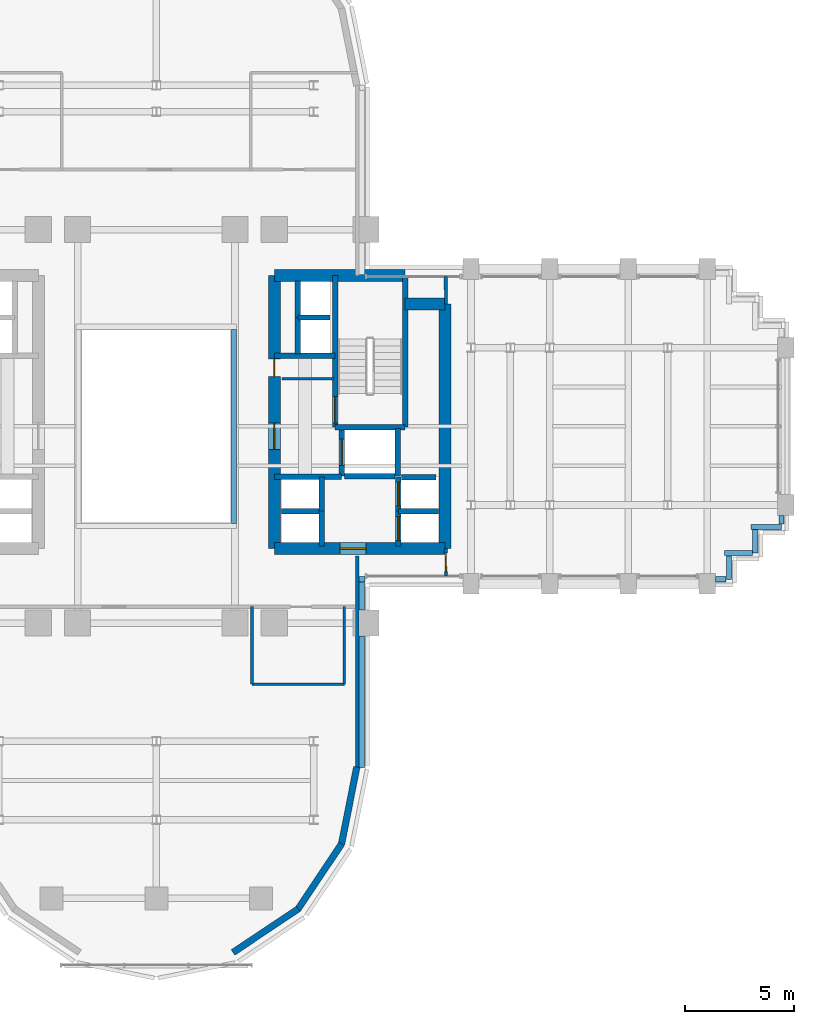
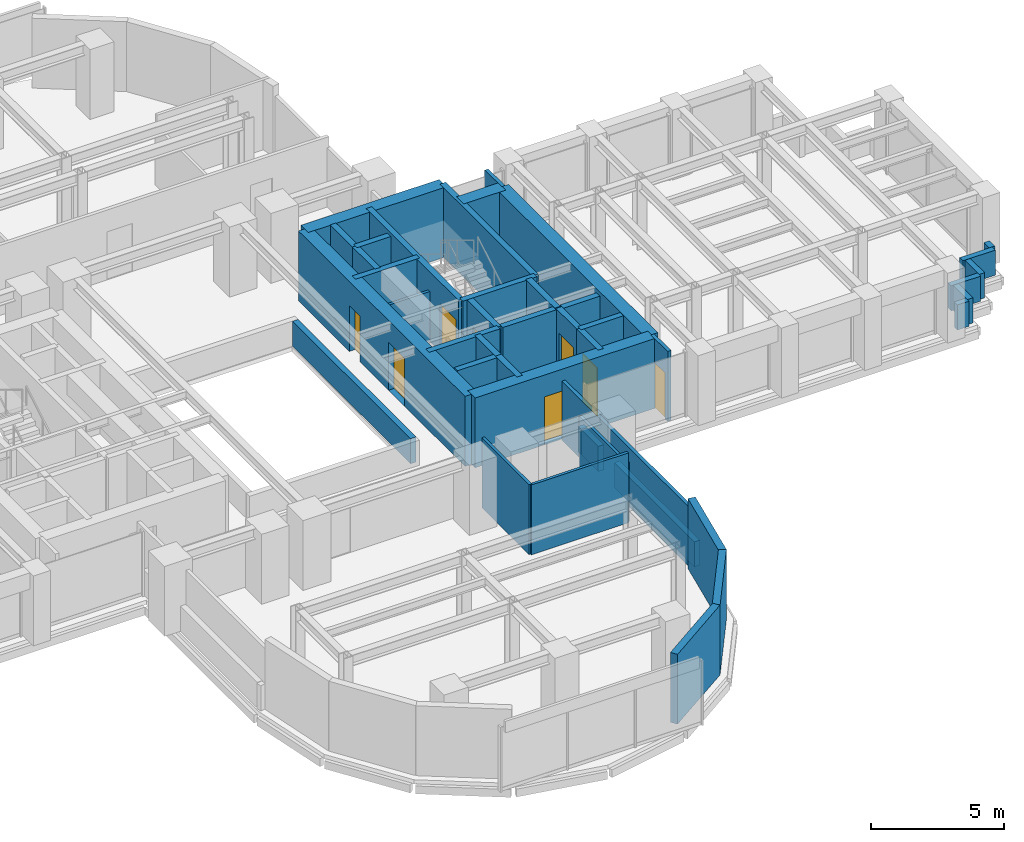
# One storey, part 11 of 16: 43 walls, 8 doors, 8 openings.
"""IFC4 building model written with IfcOpenShell, lengths in metres."""

from ifc_helpers import new_model, si_unit, direction, frame, frame_2d, origin, place, context, subcontext, project, spatial, rectangle, extrude, source, transform, mapped, material, layer, layer_set, type_object, element, fill, save


model = new_model("IFC4")

# Units and contexts
model_context = context("Model", 3, precision=1e-05, world=origin(), true_north=direction((0.0, 1.0)))
body_context = subcontext(model_context, "Body", "Model", "MODEL_VIEW")
ifc_project = project(units=[si_unit("LENGTHUNIT", "METRE"), si_unit("AREAUNIT", "SQUARE_METRE"), si_unit("VOLUMEUNIT", "CUBIC_METRE"), si_unit("PLANEANGLEUNIT", "RADIAN"), si_unit("MASSUNIT", "GRAM", prefix="KILO")], contexts=[model_context])

# Site, building, storey
site_placement = place(None, origin())
site = spatial("IfcSite", under=ifc_project, at=site_placement, CompositionType="ELEMENT")
building_placement = place(site_placement, origin())
building = spatial("IfcBuilding", under=site, at=building_placement, Name="Keilestroom Media Tower", CompositionType="ELEMENT")
storey_placement = place(building_placement, frame((0.0, 0.0, 61.199951171875)))
storey = spatial("IfcBuildingStorey", under=building, at=storey_placement, Name="L15", CompositionType="ELEMENT", Elevation=61.199951171875)

# Walls
ifc_material_1 = material(Name="Precast concrete C40/50", Category="concrete")
ifc_layer_1 = layer(ifc_material_1, 0.300048828125)
ifc_layer_set_1 = layer_set([ifc_layer_1], Name="Precast concrete C40/50")
wall_type_1 = type_object("IfcWallType", Name="Exterior-Masonry-Spandrel-Wall-300", PredefinedType="SOLIDWALL", material=ifc_layer_set_1)
wall_1_placement = place(storey_placement, frame((3.510009765625, -24.073486328125, 0.0), z_axis=(0.0, 0.0, 1.0), x_axis=(0.8314749531, 0.555562239868, 0.0)))
element("IfcWall", 1, at=wall_1_placement, inside=storey, type_object=wall_type_1, Name="L15 Lobe Facet Precast Frame Wall 10", PredefinedType="SOLIDWALL", context=body_context, shape_type="SweptSolid", body=[
    extrude(rectangle(XDim=3.59326171875, YDim=0.300048828125, at=frame_2d((1.796630859375, 0.0))), origin(), (0.0, 0.0, 1.0), 3.199951171875),
])
for number, where, z_axis, x_axis, name in (
    (2, (6.47705078125, -22.097900390625, 0.0), (0.0, 0.0, 1.0), (0.555574187116, 0.831466970246, 0.0), "L15 Lobe Facet Precast Frame Wall 11"),
    (3, (8.470703125, -19.12451171875, 0.0), (0.0, 0.0, 1.0), (0.195114232679, 0.980780523974, 0.0), "L15 Lobe Facet Precast Frame Wall 12"),
):
    element("IfcWall", number, at=place(storey_placement, frame(where, z_axis=z_axis, x_axis=x_axis)), inside=storey, type_object=wall_type_1, Name=name, PredefinedType="SOLIDWALL", context=body_context, shape_type="SweptSolid", body=[
        extrude(rectangle(XDim=3.608642578125, YDim=0.300048828125, at=frame_2d((1.80419921875, 0.0))), origin(), (0.0, 0.0, 1.0), 3.199951171875),
    ])
ifc_material_2 = material(Name="Gypsum Plasterboard & Steel Stud", Category="steel")
ifc_layer_2 = layer(ifc_material_2, 0.1201171875)
ifc_layer_set_2 = layer_set([ifc_layer_2], Name="Gypsum Plasterboard & Steel Stud")
wall_type_2 = type_object("IfcWallType", Name="Interior-Partition-Wall-120", PredefinedType="PARTITIONING", material=ifc_layer_set_2)
wall_2_placement = place(storey_placement, frame((5.75, 2.179931640625, 0.0), z_axis=(0.0, 0.0, 1.0), x_axis=(1.0, 0.0, 0.0)))
element("IfcWall", 4, at=wall_2_placement, inside=storey, type_object=wall_type_2, Name="L15 Interior Wall WP-L15-CIE-S", PredefinedType="PARTITIONING", context=body_context, shape_type="SweptSolid", body=[
    extrude(rectangle(XDim=2.389892578125, YDim=0.1201171875, at=frame_2d((1.19482421875, 0.0))), origin(), (0.0, 0.0, 1.0), 2.300048828125),
])
wall_3_placement = place(storey_placement, frame((4.3798828125, -11.800048828125, 0.0), z_axis=(0.0, 0.0, 1.0), x_axis=(1.0, 0.0, 0.0)))
element("IfcWall", 5, at=wall_3_placement, inside=storey, type_object=wall_type_2, Name="L15 Interior Wall WP-L15-SL-WC-S", PredefinedType="PARTITIONING", context=body_context, shape_type="SweptSolid", body=[
    extrude(rectangle(XDim=4.22021484375, YDim=0.1201171875, at=frame_2d((2.110107421875, 0.0))), origin(), (0.0, 0.0, 1.0), 3.199951171875),
])
wall_4_placement = place(storey_placement, frame((4.3798828125, -11.800048828125, 0.0), z_axis=(0.0, 0.0, 1.0), x_axis=(0.0, 1.0, 0.0)))
element("IfcWall", 6, at=wall_4_placement, inside=storey, type_object=wall_type_2, Name="L15 Interior Wall WP-L15-SL-WC-W", PredefinedType="PARTITIONING", context=body_context, shape_type="SweptSolid", body=[
    extrude(rectangle(XDim=3.550048828125, YDim=0.1201171875, at=frame_2d((1.77490234375, 0.0))), origin(), (0.0, 0.0, 1.0), 3.199951171875),
])
wall_5_placement = place(storey_placement, frame((8.60009765625, -11.800048828125, 0.0), z_axis=(0.0, 0.0, 1.0), x_axis=(0.0, 1.0, 0.0)))
element("IfcWall", 7, at=wall_5_placement, inside=storey, type_object=wall_type_2, Name="L15 Interior Wall WP-L15-SL-WC-E", PredefinedType="PARTITIONING", context=body_context, shape_type="SweptSolid", body=[
    extrude(rectangle(XDim=3.550048828125, YDim=0.1201171875, at=frame_2d((1.77490234375, 0.0))), origin(), (0.0, 0.0, 1.0), 2.7099609375),
])
ifc_layer_3 = layer(ifc_material_2, 0.14990234375)
ifc_layer_set_3 = layer_set([ifc_layer_3], Name="Gypsum Plasterboard & Steel Stud")
wall_type_3 = type_object("IfcWallType", Name="Interior-Partition-Wall-150", PredefinedType="PARTITIONING", material=ifc_layer_set_3)
wall_6_placement = place(storey_placement, frame((9.199951171875, -15.679931640625, 0.0), z_axis=(0.0, 0.0, 1.0), x_axis=(0.0, 1.0, 0.0)))
element("IfcWall", 8, at=wall_6_placement, inside=storey, type_object=wall_type_3, Name="L15 Interior Wall WP-L15-SL-CHKE", PredefinedType="PARTITIONING", context=body_context, shape_type="SweptSolid", body=[
    extrude(rectangle(XDim=9.739990234375, YDim=0.14990234375, at=frame_2d((4.8701171875, 0.0))), origin(), (0.0, 0.0, 1.0), 2.7099609375),
])
wall_7_placement = place(storey_placement, frame((13.260009765625, 5.60009765625, 0.0), z_axis=(0.0, 0.0, 1.0), x_axis=(-0.016013571389, 0.999871774545, 0.0)))
element("IfcWall", 9, at=wall_7_placement, inside=storey, type_object=wall_type_3, Name="L15 Interior Wall WP-L15-EA-ENTN", PredefinedType="PARTITIONING", context=body_context, shape_type="SweptSolid", body=[
    extrude(rectangle(XDim=1.250244140625, YDim=0.14990234375, at=frame_2d((0.625, 0.0))), origin(), (0.0, 0.0, 1.0), 3.199951171875),
])

# Wall, opening, door
wall_8_placement = place(storey_placement, frame((13.260009765625, -6.85009765625, 0.0), z_axis=(0.0, 0.0, 1.0), x_axis=(-0.016013571389, 0.999871774545, 0.0)))
wall_8 = element("IfcWall", 10, at=wall_8_placement, inside=storey, type_object=wall_type_3, Name="L15 Interior Wall WP-L15-EA-ENTS", PredefinedType="PARTITIONING", context=body_context, shape_type="SweptSolid", body=[
    extrude(rectangle(XDim=1.250244140625, YDim=0.14990234375, at=frame_2d((0.625, 0.0))), origin(), (0.0, 0.0, 1.0), 3.199951171875),
])
opening_1_placement = place(wall_8_placement, frame((0.199951171875, 0.0, 0.0)))
opening_1 = element("IfcOpeningElement", 11, at=opening_1_placement, cuts=wall_8, Name="Opening DI-05", PredefinedType="OPENING", context=body_context, shape_type="SweptSolid", body=[
    extrude(rectangle(XDim=0.85009765625, YDim=2.10009765625, at=frame_2d((0.425048828125, 1.050048828125))), frame((0.0, 0.0849609375, 0.0), z_axis=(0.0, -1.0, 0.0), x_axis=(1.0, 0.0, 0.0)), (0.0, 0.0, 1.0), 0.169921875),
])
ifc_material_3 = material(Name="Moisture-Resistant Oak Leaf", Category="wood")
door_type_1 = type_object("IfcDoorType", Name="Interior-En-Suite-And-Cupboard-Door-DI-05", OperationType="NOTDEFINED", PredefinedType="DOOR", material=ifc_material_3)
shared_shape_1 = source(origin(), body_context, "Body", "SweptSolid", [
    extrude(rectangle(XDim=0.85009765625, YDim=2.10009765625, at=frame_2d((0.425048828125, 1.050048828125))), frame((0.0, 0.02490234375, 0.0), z_axis=(0.0, -1.0, 0.0), x_axis=(1.0, 0.0, 0.0)), (0.0, 0.0, 1.0), 0.050048828125),
])
door_1_placement = place(opening_1_placement, origin())
door_1 = element("IfcDoor", 12, at=door_1_placement, inside=storey, type_object=door_type_1, Name="L15 Interior Door DI-L15-DEA-S", OperationType="SINGLE_SWING_RIGHT", OverallHeight=2.10009765625, OverallWidth=0.85009765625, PredefinedType="DOOR", context=body_context, shape_type="MappedRepresentation", body=[
    mapped(shared_shape_1, transform((0.0, 0.0, 0.0), x_axis=(1.0, 0.0, 0.0), y_axis=(0.0, 1.0, 0.0), z_axis=(0.0, 0.0, 1.0), scale=1.0)),
])
fill(opening_1, door_1)

# Wall
ifc_material_4 = material(Name="Concrete C70/85", Category="concrete")
ifc_layer_4 = layer(ifc_material_4, 0.550048828125)
ifc_layer_set_4 = layer_set([ifc_layer_4], Name="Concrete C70/85")
wall_type_4 = type_object("IfcWallType", Name="Reinforced-Concrete-Core-Shear-Wall-550", PredefinedType="SHEAR", material=ifc_layer_set_4)
wall_9_placement = place(storey_placement, frame((13.199951171875, -5.60009765625, 0.0), z_axis=(0.0, 0.0, 1.0), x_axis=(0.0, 1.0, 0.0)))
element("IfcWall", 13, at=wall_9_placement, inside=storey, type_object=wall_type_4, Name="L15 Core Shear Wall WL-L15-CORE-E-OUT", PredefinedType="SHEAR", context=body_context, shape_type="SweptSolid", body=[
    extrude(rectangle(XDim=11.2001953125, YDim=0.550048828125, at=frame_2d((5.60009765625, 0.0))), origin(), (0.0, 0.0, 1.0), 3.199951171875),
])

# Wall, openings, doors
wall_10_placement = place(storey_placement, frame((5.39990234375, -5.60009765625, 0.0), z_axis=(0.0, 0.0, 1.0), x_axis=(0.0, 1.0, 0.0)))
wall_10 = element("IfcWall", 14, at=wall_10_placement, inside=storey, type_object=wall_type_4, Name="L15 Core Shear Wall WL-L15-CORE-E-IN", PredefinedType="SHEAR", context=body_context, shape_type="SweptSolid", body=[
    extrude(rectangle(XDim=12.5, YDim=0.550048828125, at=frame_2d((6.25, 0.0))), origin(), (0.0, 0.0, 1.0), 3.199951171875),
])
opening_2_placement = place(wall_10_placement, frame((4.550048828125, 0.0, 0.0)))
opening_2 = element("IfcOpeningElement", 15, at=opening_2_placement, cuts=wall_10, Name="Opening DI-02", PredefinedType="OPENING", context=body_context, shape_type="SweptSolid", body=[
    extrude(rectangle(XDim=1.199951171875, YDim=2.199951171875, at=frame_2d((0.60009765625, 1.10009765625))), frame((0.0, 0.28515625, 0.0), z_axis=(0.0, -1.0, 0.0), x_axis=(1.0, 0.0, 0.0)), (0.0, 0.0, 1.0), 0.570068359375),
])
opening_3_placement = place(wall_10_placement, frame((7.8798828125, 0.0, 0.0)))
opening_3 = element("IfcOpeningElement", 16, at=opening_3_placement, cuts=wall_10, Name="Opening DI-06", PredefinedType="OPENING", context=body_context, shape_type="SweptSolid", body=[
    extrude(rectangle(XDim=0.800048828125, YDim=2.10009765625, at=frame_2d((0.39990234375, 1.050048828125))), frame((0.0, 0.28515625, 0.0), z_axis=(0.0, -1.0, 0.0), x_axis=(1.0, 0.0, 0.0)), (0.0, 0.0, 1.0), 0.570068359375),
])
ifc_material_5 = material(Name="Powder-Coated Steel Fire Leaf", Category="steel")
door_type_2 = type_object("IfcDoorType", Name="Interior-Compartment-Fire-Door-DI-02", OperationType="NOTDEFINED", PredefinedType="DOOR", material=ifc_material_5)
shared_shape_2 = source(origin(), body_context, "Body", "SweptSolid", [
    extrude(rectangle(XDim=1.199951171875, YDim=2.199951171875, at=frame_2d((0.60009765625, 1.10009765625))), frame((0.0, 0.02490234375, 0.0), z_axis=(0.0, -1.0, 0.0), x_axis=(1.0, 0.0, 0.0)), (0.0, 0.0, 1.0), 0.050048828125),
])
door_2_placement = place(opening_2_placement, origin())
door_2 = element("IfcDoor", 17, at=door_2_placement, inside=storey, type_object=door_type_2, Name="L15 E Firefighting Lobby Door", OperationType="SINGLE_SWING_LEFT", OverallHeight=2.199951171875, OverallWidth=1.199951171875, PredefinedType="DOOR", context=body_context, shape_type="MappedRepresentation", body=[
    mapped(shared_shape_2, transform((0.0, 0.0, 0.0), x_axis=(1.0, 0.0, 0.0), y_axis=(0.0, 1.0, 0.0), z_axis=(0.0, 0.0, 1.0), scale=1.0)),
])
fill(opening_2, door_2)
ifc_material_6 = material(Name="Powder-Coated Steel Service Leaf", Category="steel")
door_type_3 = type_object("IfcDoorType", Name="Interior-Riser-Access-Door-DI-06", OperationType="NOTDEFINED", PredefinedType="DOOR", material=ifc_material_6)
shared_shape_3 = source(origin(), body_context, "Body", "SweptSolid", [
    extrude(rectangle(XDim=0.800048828125, YDim=2.10009765625, at=frame_2d((0.39990234375, 1.050048828125))), frame((0.0, 0.02490234375, 0.0), z_axis=(0.0, -1.0, 0.0), x_axis=(1.0, 0.0, 0.0)), (0.0, 0.0, 1.0), 0.050048828125),
])
door_3_placement = place(opening_3_placement, origin())
door_3 = element("IfcDoor", 18, at=door_3_placement, inside=storey, type_object=door_type_3, Name="L15 East Core Closet Door", OperationType="SINGLE_SWING_RIGHT", OverallHeight=2.10009765625, OverallWidth=0.800048828125, PredefinedType="DOOR", context=body_context, shape_type="MappedRepresentation", body=[
    mapped(shared_shape_3, transform((0.0, 0.0, 0.0), x_axis=(1.0, 0.0, 0.0), y_axis=(0.0, 1.0, 0.0), z_axis=(0.0, 0.0, 1.0), scale=1.0)),
])
fill(opening_3, door_3)

# Walls
wall_11_placement = place(storey_placement, frame((5.39990234375, 6.89990234375, 0.0), z_axis=(0.0, 0.0, 1.0), x_axis=(1.0, 0.0, 0.0)))
element("IfcWall", 19, at=wall_11_placement, inside=storey, type_object=wall_type_4, Name="L15 Core Shear Wall WL-L15-CORE-E-N", PredefinedType="SHEAR", context=body_context, shape_type="SweptSolid", body=[
    extrude(rectangle(XDim=5.981201171875, YDim=0.550048828125, at=frame_2d((2.99072265625, 0.0))), origin(), (0.0, 0.0, 1.0), 3.199951171875),
])
wall_12_placement = place(storey_placement, frame((11.381103515625, 5.60009765625, 0.0), z_axis=(0.0, 0.0, 1.0), x_axis=(1.0, 0.0, 0.0)))
element("IfcWall", 20, at=wall_12_placement, inside=storey, type_object=wall_type_4, Name="L15 Core Shear Wall WL-L15-CNE-N", PredefinedType="SHEAR", context=body_context, shape_type="SweptSolid", body=[
    extrude(rectangle(XDim=1.81884765625, YDim=0.550048828125, at=frame_2d((0.909423828125, 0.0))), origin(), (0.0, 0.0, 1.0), 3.199951171875),
])

# Wall, opening, door
wall_13_placement = place(storey_placement, frame((5.39990234375, -5.60009765625, 0.0), z_axis=(0.0, 0.0, 1.0), x_axis=(1.0, 0.0, 0.0)))
wall_13 = element("IfcWall", 21, at=wall_13_placement, inside=storey, type_object=wall_type_4, Name="L15 Core Shear Wall WL-L15-CORE-E-S", PredefinedType="SHEAR", context=body_context, shape_type="SweptSolid", body=[
    extrude(rectangle(XDim=7.800048828125, YDim=0.550048828125, at=frame_2d((3.89990234375, 0.0))), origin(), (0.0, 0.0, 1.0), 3.199951171875),
])
opening_4_placement = place(wall_13_placement, frame((3.0, 0.0, 0.0)))
opening_4 = element("IfcOpeningElement", 22, at=opening_4_placement, cuts=wall_13, Name="Opening DI-02", PredefinedType="OPENING", context=body_context, shape_type="SweptSolid", body=[
    extrude(rectangle(XDim=1.199951171875, YDim=2.199951171875, at=frame_2d((0.60009765625, 1.10009765625))), frame((0.0, 0.28515625, 0.0), z_axis=(0.0, -1.0, 0.0), x_axis=(1.0, 0.0, 0.0)), (0.0, 0.0, 1.0), 0.570068359375),
])
door_4_placement = place(opening_4_placement, origin())
door_4 = element("IfcDoor", 23, at=door_4_placement, inside=storey, type_object=door_type_2, Name="L15 E Passenger Lift Lobby Door", OperationType="SINGLE_SWING_RIGHT", OverallHeight=2.199951171875, OverallWidth=1.199951171875, PredefinedType="DOOR", context=body_context, shape_type="MappedRepresentation", body=[
    mapped(shared_shape_2, transform((0.0, 0.0, 0.0), x_axis=(1.0, 0.0, 0.0), y_axis=(0.0, 1.0, 0.0), z_axis=(0.0, 0.0, 1.0), scale=1.0)),
])
fill(opening_4, door_4)

# Walls
ifc_material_7 = material(Name="Concrete C50/60", Category="concrete")
ifc_layer_5 = layer(ifc_material_7, 0.25)
ifc_layer_set_5 = layer_set([ifc_layer_5], Name="Concrete C50/60")
wall_type_5 = type_object("IfcWallType", Name="Reinforced-Concrete-Shaft-Wall-250", PredefinedType="SOLIDWALL", material=ifc_layer_set_5)
wall_14_placement = place(storey_placement, frame((5.39990234375, 3.219970703125, 0.0), z_axis=(0.0, 0.0, 1.0), x_axis=(1.0, 0.0, 0.0)))
element("IfcWall", 24, at=wall_14_placement, inside=storey, type_object=wall_type_5, Name="L15 Core Shear Wall WL-L15-CORE-E-FFN", PredefinedType="SOLIDWALL", context=body_context, shape_type="SweptSolid", body=[
    extrude(rectangle(XDim=2.780029296875, YDim=0.25, at=frame_2d((1.39013671875, 0.0))), origin(), (0.0, 0.0, 1.0), 3.199951171875),
])
wall_15_placement = place(storey_placement, frame((5.39990234375, -2.300048828125, 0.0), z_axis=(0.0, 0.0, 1.0), x_axis=(1.0, 0.0, 0.0)))
element("IfcWall", 25, at=wall_15_placement, inside=storey, type_object=wall_type_5, Name="L15 Core Shear Wall WL-L15-CORE-E-FFS", PredefinedType="SOLIDWALL", context=body_context, shape_type="SweptSolid", body=[
    extrude(rectangle(XDim=3.080078125, YDim=0.25, at=frame_2d((1.5400390625, 0.0))), origin(), (0.0, 0.0, 1.0), 3.199951171875),
])

# Wall, opening, door
wall_16_placement = place(storey_placement, frame((8.178955078125, -0.041015625, 0.0), z_axis=(0.0, 0.0, 1.0), x_axis=(0.0, 1.0, 0.0)))
wall_16 = element("IfcWall", 26, at=wall_16_placement, inside=storey, type_object=wall_type_5, Name="L15 Core Shear Wall WL-L15-STW-E-NEAR", PredefinedType="SOLIDWALL", context=body_context, shape_type="SweptSolid", body=[
    extrude(rectangle(XDim=6.94091796875, YDim=0.25, at=frame_2d((3.470458984375, 0.0))), origin(), (0.0, 0.0, 1.0), 3.199951171875),
])
opening_5_placement = place(wall_16_placement, frame((0.199951171875, 0.0, 0.0)))
opening_5 = element("IfcOpeningElement", 27, at=opening_5_placement, cuts=wall_16, Name="Opening DI-01S", PredefinedType="OPENING", context=body_context, shape_type="SweptSolid", body=[
    extrude(rectangle(XDim=1.199951171875, YDim=2.199951171875, at=frame_2d((0.60009765625, 1.10009765625))), frame((0.0, 0.135009765625, 0.0), z_axis=(0.0, -1.0, 0.0), x_axis=(1.0, 0.0, 0.0)), (0.0, 0.0, 1.0), 0.27001953125),
])
door_type_4 = type_object("IfcDoorType", Name="Interior-Stair-And-Core-Fire-Door-DI-01", OperationType="NOTDEFINED", PredefinedType="DOOR", material=ifc_material_5)
door_5_placement = place(opening_5_placement, origin())
door_5 = element("IfcDoor", 28, at=door_5_placement, inside=storey, type_object=door_type_4, Name="L15 Escape Stair ST-2 Fire Door", OperationType="SINGLE_SWING_RIGHT", OverallHeight=2.199951171875, OverallWidth=1.199951171875, PredefinedType="DOOR", context=body_context, shape_type="MappedRepresentation", body=[
    mapped(shared_shape_2, transform((0.0, 0.0, 0.0), x_axis=(1.0, 0.0, 0.0), y_axis=(0.0, 1.0, 0.0), z_axis=(0.0, 0.0, 1.0), scale=1.0)),
])
fill(opening_5, door_5)

# Walls
wall_17_placement = place(storey_placement, frame((11.381103515625, -0.041015625, 0.0), z_axis=(0.0, 0.0, 1.0), x_axis=(0.0, 1.0, 0.0)))
element("IfcWall", 29, at=wall_17_placement, inside=storey, type_object=wall_type_5, Name="L15 Core Shear Wall WL-L15-STW-E-FAR", PredefinedType="SOLIDWALL", context=body_context, shape_type="SweptSolid", body=[
    extrude(rectangle(XDim=6.94091796875, YDim=0.25, at=frame_2d((3.470458984375, 0.0))), origin(), (0.0, 0.0, 1.0), 3.199951171875),
])
wall_18_placement = place(storey_placement, frame((8.178955078125, -0.041015625, 0.0), z_axis=(0.0, 0.0, 1.0), x_axis=(1.0, 0.0, 0.0)))
element("IfcWall", 30, at=wall_18_placement, inside=storey, type_object=wall_type_5, Name="L15 Core Shear Wall WL-L15-STW-E-S", PredefinedType="SOLIDWALL", context=body_context, shape_type="SweptSolid", body=[
    extrude(rectangle(XDim=3.2021484375, YDim=0.25, at=frame_2d((1.60107421875, 0.0))), origin(), (0.0, 0.0, 1.0), 3.199951171875),
])

# Wall, opening, door
wall_19_placement = place(storey_placement, frame((8.47998046875, -2.280029296875, 0.0), z_axis=(0.0, 0.0, 1.0), x_axis=(0.0, 1.0, 0.0)))
wall_19 = element("IfcWall", 31, at=wall_19_placement, inside=storey, type_object=wall_type_5, Name="L15 Core Shear Wall WL-L15-LSH-FFL-2-W", PredefinedType="SOLIDWALL", context=body_context, shape_type="SweptSolid", body=[
    extrude(rectangle(XDim=2.179931640625, YDim=0.25, at=frame_2d((1.08984375, 0.0))), origin(), (0.0, 0.0, 1.0), 3.199951171875),
])
opening_6_placement = place(wall_19_placement, frame((0.489990234375, 0.0, 0.0)))
opening_6 = element("IfcOpeningElement", 32, at=opening_6_placement, cuts=wall_19, Name="Opening LD-02", PredefinedType="OPENING", context=body_context, shape_type="SweptSolid", body=[
    extrude(rectangle(XDim=1.199951171875, YDim=2.199951171875, at=frame_2d((0.60009765625, 1.10009765625))), frame((0.0, 0.135009765625, 0.0), z_axis=(0.0, -1.0, 0.0), x_axis=(1.0, 0.0, 0.0)), (0.0, 0.0, 1.0), 0.27001953125),
])
ifc_material_8 = material(Name="Brushed Stainless Steel Sliding Leaf", Category="steel")
door_type_5 = type_object("IfcDoorType", Name="Lift-Landing-Sliding-Door-LD-02", OperationType="SLIDING_TO_RIGHT", PredefinedType="DOOR", material=ifc_material_8)
door_6_placement = place(opening_6_placement, origin())
door_6 = element("IfcDoor", 33, at=door_6_placement, inside=storey, type_object=door_type_5, Name="L15 Lift FFL-2 Landing Sliding Door", OperationType="SLIDING_TO_RIGHT", OverallHeight=2.199951171875, OverallWidth=1.199951171875, PredefinedType="DOOR", context=body_context, shape_type="MappedRepresentation", body=[
    mapped(shared_shape_2, transform((0.0, 0.0, 0.0), x_axis=(1.0, 0.0, 0.0), y_axis=(0.0, 1.0, 0.0), z_axis=(0.0, 0.0, 1.0), scale=1.0)),
])
fill(opening_6, door_6)

# Walls
wall_20_placement = place(storey_placement, frame((11.050048828125, -2.280029296875, 0.0), z_axis=(0.0, 0.0, 1.0), x_axis=(0.0, 1.0, 0.0)))
element("IfcWall", 34, at=wall_20_placement, inside=storey, type_object=wall_type_5, Name="L15 Core Shear Wall WL-L15-LSH-FFL-2-E", PredefinedType="SOLIDWALL", context=body_context, shape_type="SweptSolid", body=[
    extrude(rectangle(XDim=2.179931640625, YDim=0.25, at=frame_2d((1.08984375, 0.0))), origin(), (0.0, 0.0, 1.0), 3.199951171875),
])
wall_21_placement = place(storey_placement, frame((8.60888671875, -2.280029296875, 0.0), z_axis=(0.0, 0.0, 1.0), x_axis=(1.0, 0.0, 0.0)))
element("IfcWall", 35, at=wall_21_placement, inside=storey, type_object=wall_type_5, Name="L15 Core Shear Wall WL-L15-LSH-FFL-2-S", PredefinedType="SOLIDWALL", context=body_context, shape_type="SweptSolid", body=[
    extrude(rectangle(XDim=2.31201171875, YDim=0.25, at=frame_2d((1.156005859375, 0.0))), origin(), (0.0, 0.0, 1.0), 3.199951171875),
])

# Wall, opening, door
wall_22_placement = place(storey_placement, frame((11.080078125, -5.47998046875, 0.0), z_axis=(0.0, 0.0, 1.0), x_axis=(0.0, 1.0, 0.0)))
wall_22 = element("IfcWall", 36, at=wall_22_placement, inside=storey, type_object=wall_type_5, Name="L15 Core Shear Wall WL-L15-LSH-PL-L3-W", PredefinedType="SOLIDWALL", context=body_context, shape_type="SweptSolid", body=[
    extrude(rectangle(XDim=1.60009765625, YDim=0.25, at=frame_2d((0.800048828125, 0.0))), origin(), (0.0, 0.0, 1.0), 3.199951171875),
])
opening_7_placement = place(wall_22_placement, frame((0.25, 0.0, 0.0)))
opening_7 = element("IfcOpeningElement", 37, at=opening_7_placement, cuts=wall_22, Name="Opening LD-01", PredefinedType="OPENING", context=body_context, shape_type="SweptSolid", body=[
    extrude(rectangle(XDim=1.10009765625, YDim=2.199951171875, at=frame_2d((0.550048828125, 1.10009765625))), frame((0.0, 0.135009765625, 0.0), z_axis=(0.0, -1.0, 0.0), x_axis=(1.0, 0.0, 0.0)), (0.0, 0.0, 1.0), 0.27001953125),
])
door_type_6 = type_object("IfcDoorType", Name="Lift-Landing-Sliding-Door-LD-01", OperationType="SLIDING_TO_LEFT", PredefinedType="DOOR", material=ifc_material_8)
shared_shape_4 = source(origin(), body_context, "Body", "SweptSolid", [
    extrude(rectangle(XDim=1.10009765625, YDim=2.199951171875, at=frame_2d((0.550048828125, 1.10009765625))), frame((0.0, 0.02490234375, 0.0), z_axis=(0.0, -1.0, 0.0), x_axis=(1.0, 0.0, 0.0)), (0.0, 0.0, 1.0), 0.050048828125),
])
door_7_placement = place(opening_7_placement, origin())
door_7 = element("IfcDoor", 38, at=door_7_placement, inside=storey, type_object=door_type_6, Name="L15 Lift PL-L3 Landing Sliding Door", OperationType="SLIDING_TO_LEFT", OverallHeight=2.199951171875, OverallWidth=1.10009765625, PredefinedType="DOOR", context=body_context, shape_type="MappedRepresentation", body=[
    mapped(shared_shape_4, transform((0.0, 0.0, 0.0), x_axis=(1.0, 0.0, 0.0), y_axis=(0.0, 1.0, 0.0), z_axis=(0.0, 0.0, 1.0), scale=1.0)),
])
fill(opening_7, door_7)

# Wall
wall_23_placement = place(storey_placement, frame((11.080078125, -3.8798828125, 0.0), z_axis=(0.0, 0.0, 1.0), x_axis=(1.0, 0.0, 0.0)))
element("IfcWall", 39, at=wall_23_placement, inside=storey, type_object=wall_type_5, Name="L15 Core Shear Wall WL-L15-LSH-PL-L3-N", PredefinedType="SOLIDWALL", context=body_context, shape_type="SweptSolid", body=[
    extrude(rectangle(XDim=1.83984375, YDim=0.25, at=frame_2d((0.919921875, 0.0))), origin(), (0.0, 0.0, 1.0), 3.199951171875),
])

# Wall, opening, door
wall_24_placement = place(storey_placement, frame((11.080078125, -3.8798828125, 0.0), z_axis=(0.0, 0.0, 1.0), x_axis=(0.0, 1.0, 0.0)))
wall_24 = element("IfcWall", 40, at=wall_24_placement, inside=storey, type_object=wall_type_5, Name="L15 Core Shear Wall WL-L15-LSH-PL-L4-W", PredefinedType="SOLIDWALL", context=body_context, shape_type="SweptSolid", body=[
    extrude(rectangle(XDim=1.559814453125, YDim=0.25, at=frame_2d((0.77978515625, 0.0))), origin(), (0.0, 0.0, 1.0), 3.199951171875),
])
opening_8_placement = place(wall_24_placement, frame((0.22998046875, 0.0, 0.0)))
opening_8 = element("IfcOpeningElement", 41, at=opening_8_placement, cuts=wall_24, Name="Opening LD-01", PredefinedType="OPENING", context=body_context, shape_type="SweptSolid", body=[
    extrude(rectangle(XDim=1.10009765625, YDim=2.199951171875, at=frame_2d((0.550048828125, 1.10009765625))), frame((0.0, 0.135009765625, 0.0), z_axis=(0.0, -1.0, 0.0), x_axis=(1.0, 0.0, 0.0)), (0.0, 0.0, 1.0), 0.27001953125),
])
door_8_placement = place(opening_8_placement, origin())
door_8 = element("IfcDoor", 42, at=door_8_placement, inside=storey, type_object=door_type_6, Name="L15 Lift PL-L4 Landing Sliding Door", OperationType="SLIDING_TO_LEFT", OverallHeight=2.199951171875, OverallWidth=1.10009765625, PredefinedType="DOOR", context=body_context, shape_type="MappedRepresentation", body=[
    mapped(shared_shape_4, transform((0.0, 0.0, 0.0), x_axis=(1.0, 0.0, 0.0), y_axis=(0.0, 1.0, 0.0), z_axis=(0.0, 0.0, 1.0), scale=1.0)),
])
fill(opening_8, door_8)

# Walls
wall_25_placement = place(storey_placement, frame((11.208984375, -2.320068359375, 0.0), z_axis=(0.0, 0.0, 1.0), x_axis=(1.0, 0.0, 0.0)))
element("IfcWall", 43, at=wall_25_placement, inside=storey, type_object=wall_type_5, Name="L15 Core Shear Wall WL-L15-LSH-PL-L4-N", PredefinedType="SOLIDWALL", context=body_context, shape_type="SweptSolid", body=[
    extrude(rectangle(XDim=1.58203125, YDim=0.25, at=frame_2d((0.791015625, 0.0))), origin(), (0.0, 0.0, 1.0), 3.199951171875),
])
wall_26_placement = place(storey_placement, frame((7.56005859375, -5.47998046875, 0.0), z_axis=(0.0, 0.0, 1.0), x_axis=(0.0, 1.0, 0.0)))
element("IfcWall", 44, at=wall_26_placement, inside=storey, type_object=wall_type_5, Name="L15 Core Shear Wall WL-L15-LSH-PL-M3-E", PredefinedType="SOLIDWALL", context=body_context, shape_type="SweptSolid", body=[
    extrude(rectangle(XDim=1.60009765625, YDim=0.25, at=frame_2d((0.800048828125, 0.0))), origin(), (0.0, 0.0, 1.0), 3.199951171875),
])
wall_27_placement = place(storey_placement, frame((5.719970703125, -3.8798828125, 0.0), z_axis=(0.0, 0.0, 1.0), x_axis=(1.0, 0.0, 0.0)))
element("IfcWall", 45, at=wall_27_placement, inside=storey, type_object=wall_type_5, Name="L15 Core Shear Wall WL-L15-LSH-PL-M3-N", PredefinedType="SOLIDWALL", context=body_context, shape_type="SweptSolid", body=[
    extrude(rectangle(XDim=1.840087890625, YDim=0.25, at=frame_2d((0.919921875, 0.0))), origin(), (0.0, 0.0, 1.0), 3.199951171875),
])
wall_28_placement = place(storey_placement, frame((7.56005859375, -3.8798828125, 0.0), z_axis=(0.0, 0.0, 1.0), x_axis=(0.0, 1.0, 0.0)))
element("IfcWall", 46, at=wall_28_placement, inside=storey, type_object=wall_type_5, Name="L15 Core Shear Wall WL-L15-LSH-PL-M4-E", PredefinedType="SOLIDWALL", context=body_context, shape_type="SweptSolid", body=[
    extrude(rectangle(XDim=1.559814453125, YDim=0.25, at=frame_2d((0.77978515625, 0.0))), origin(), (0.0, 0.0, 1.0), 3.199951171875),
])
wall_29_placement = place(storey_placement, frame((6.47998046875, 3.300048828125, 0.0), z_axis=(0.0, 0.0, 1.0), x_axis=(0.0, 1.0, 0.0)))
element("IfcWall", 47, at=wall_29_placement, inside=storey, type_object=wall_type_5, Name="L15 Core Shear Wall WL-L15-LSH-PL-H3-W", PredefinedType="SOLIDWALL", context=body_context, shape_type="SweptSolid", body=[
    extrude(rectangle(XDim=1.679931640625, YDim=0.25, at=frame_2d((0.83984375, 0.0))), origin(), (0.0, 0.0, 1.0), 3.199951171875),
])
wall_30_placement = place(storey_placement, frame((6.47998046875, 4.97998046875, 0.0), z_axis=(0.0, 0.0, 1.0), x_axis=(1.0, 0.0, 0.0)))
element("IfcWall", 48, at=wall_30_placement, inside=storey, type_object=wall_type_5, Name="L15 Core Shear Wall WL-L15-LSH-PL-H3-N", PredefinedType="SOLIDWALL", context=body_context, shape_type="SweptSolid", body=[
    extrude(rectangle(XDim=1.469970703125, YDim=0.25, at=frame_2d((0.73486328125, 0.0))), origin(), (0.0, 0.0, 1.0), 3.199951171875),
])
wall_31_placement = place(storey_placement, frame((6.47998046875, 4.97998046875, 0.0), z_axis=(0.0, 0.0, 1.0), x_axis=(0.0, 1.0, 0.0)))
element("IfcWall", 49, at=wall_31_placement, inside=storey, type_object=wall_type_5, Name="L15 Core Shear Wall WL-L15-LSH-PL-H4-W", PredefinedType="SOLIDWALL", context=body_context, shape_type="SweptSolid", body=[
    extrude(rectangle(XDim=1.669921875, YDim=0.25, at=frame_2d((0.8349609375, 0.0))), origin(), (0.0, 0.0, 1.0), 3.199951171875),
])
ifc_layer_6 = layer(ifc_material_1, 0.239990234375)
ifc_layer_set_6 = layer_set([ifc_layer_6], Name="Precast concrete C40/50")
wall_type_6 = type_object("IfcWallType", Name="Roof-And-Terrace-Parapet-Wall-240", PredefinedType="PARAPET", material=ifc_layer_set_6)
wall_32_placement = place(storey_placement, frame((28.60009765625, -4.60009765625, 0.0), z_axis=(0.0, 0.0, 1.0), x_axis=(-1.0, 0.0, 0.0)))
element("IfcWall", 50, at=wall_32_placement, inside=storey, type_object=wall_type_6, Name="L15 Perimeter Edge Parapet Wall 01", PredefinedType="PARAPET", context=body_context, shape_type="SweptSolid", body=[
    extrude(rectangle(XDim=1.400146484375, YDim=0.239990234375, at=frame_2d((0.7001953125, 0.0))), origin(), (0.0, 0.0, 1.0), 1.150146484375),
])
wall_33_placement = place(storey_placement, frame((27.39990234375, -4.722900390625, 0.0), z_axis=(0.0, 0.0, 1.0), x_axis=(0.0, -1.0, 0.0)))
element("IfcWall", 51, at=wall_33_placement, inside=storey, type_object=wall_type_6, Name="L15 Perimeter Edge Parapet Wall 02", PredefinedType="PARAPET", context=body_context, shape_type="SweptSolid", body=[
    extrude(rectangle(XDim=1.0771484375, YDim=0.239990234375, at=frame_2d((0.53857421875, 0.0))), origin(), (0.0, 0.0, 1.0), 1.150146484375),
])
wall_34_placement = place(storey_placement, frame((27.277099609375, -5.800048828125, 0.0), z_axis=(0.0, 0.0, 1.0), x_axis=(-1.0, 0.0, 0.0)))
element("IfcWall", 52, at=wall_34_placement, inside=storey, type_object=wall_type_6, Name="L15 Perimeter Edge Parapet Wall 03", PredefinedType="PARAPET", context=body_context, shape_type="SweptSolid", body=[
    extrude(rectangle(XDim=1.277099609375, YDim=0.239990234375, at=frame_2d((0.638671875, 0.0))), origin(), (0.0, 0.0, 1.0), 1.150146484375),
])
wall_35_placement = place(storey_placement, frame((26.199951171875, -5.923095703125, 0.0), z_axis=(0.0, 0.0, 1.0), x_axis=(0.0, -1.0, 0.0)))
element("IfcWall", 53, at=wall_35_placement, inside=storey, type_object=wall_type_6, Name="L15 Perimeter Edge Parapet Wall 04", PredefinedType="PARAPET", context=body_context, shape_type="SweptSolid", body=[
    extrude(rectangle(XDim=1.076904296875, YDim=0.239990234375, at=frame_2d((0.53857421875, 0.0))), origin(), (0.0, 0.0, 1.0), 1.150146484375),
])
wall_36_placement = place(storey_placement, frame((26.076904296875, -7.0, 0.0), z_axis=(0.0, 0.0, 1.0), x_axis=(-1.0, 0.0, 0.0)))
element("IfcWall", 54, at=wall_36_placement, inside=storey, type_object=wall_type_6, Name="L15 Perimeter Edge Parapet Wall 05", PredefinedType="PARAPET", context=body_context, shape_type="SweptSolid", body=[
    extrude(rectangle(XDim=0.4990234375, YDim=0.239990234375, at=frame_2d((0.24951171875, 0.0))), origin(), (0.0, 0.0, 1.0), 1.150146484375),
])
wall_37_placement = place(storey_placement, frame((9.547119140625, -7.0, 0.0), z_axis=(0.0, 0.0, 1.0), x_axis=(-1.0, 0.0, 0.0)))
element("IfcWall", 55, at=wall_37_placement, inside=storey, type_object=wall_type_6, Name="L15 Perimeter Edge Parapet Wall 06", PredefinedType="PARAPET", context=body_context, shape_type="SweptSolid", body=[
    extrude(rectangle(XDim=0.26904296875, YDim=0.239990234375, at=frame_2d((0.134521484375, 0.0))), origin(), (0.0, 0.0, 1.0), 1.150146484375),
])
wall_38_placement = place(storey_placement, frame((9.39990234375, -7.123046875, 0.0), z_axis=(0.0, 0.0, 1.0), x_axis=(0.0, -1.0, 0.0)))
element("IfcWall", 56, at=wall_38_placement, inside=storey, type_object=wall_type_6, Name="L15 Perimeter Edge Parapet Wall 07", PredefinedType="PARAPET", context=body_context, shape_type="SweptSolid", body=[
    extrude(rectangle(XDim=1.27392578125, YDim=0.239990234375, at=frame_2d((0.636962890625, 0.0))), origin(), (0.0, 0.0, 1.0), 1.150146484375),
])
wall_39_placement = place(storey_placement, frame((9.39990234375, -9.60302734375, 0.0), z_axis=(0.0, 0.0, 1.0), x_axis=(0.0, -1.0, 0.0)))
element("IfcWall", 57, at=wall_39_placement, inside=storey, type_object=wall_type_6, Name="L15 Perimeter Edge Parapet Wall 08", PredefinedType="PARAPET", context=body_context, shape_type="SweptSolid", body=[
    extrude(rectangle(XDim=5.999755859375, YDim=0.239990234375, at=frame_2d((3.0, 0.0))), origin(), (0.0, 0.0, 1.0), 1.150146484375),
])
wall_40_placement = place(storey_placement, frame((28.60009765625, -4.077880859375, 0.0), z_axis=(0.0, 0.0, 1.0), x_axis=(0.0, -1.0, 0.0)))
element("IfcWall", 58, at=wall_40_placement, inside=storey, type_object=wall_type_6, Name="L15 Perimeter Edge Parapet Wall 35", PredefinedType="PARAPET", context=body_context, shape_type="SweptSolid", body=[
    extrude(rectangle(XDim=0.399169921875, YDim=0.239990234375, at=frame_2d((0.19970703125, 0.0))), origin(), (0.0, 0.0, 1.0), 1.150146484375),
])
wall_41_placement = place(storey_placement, frame((3.56005859375, -4.43505859375, 0.0), z_axis=(0.0, 0.0, 1.0), x_axis=(0.0, 1.0, 0.0)))
element("IfcWall", 59, at=wall_41_placement, inside=storey, type_object=wall_type_6, Name="L15 Central Atrium Guard Parapet E", PredefinedType="PARAPET", context=body_context, shape_type="SweptSolid", body=[
    extrude(rectangle(XDim=8.8701171875, YDim=0.239990234375, at=frame_2d((4.43505859375, 0.0))), origin(), (0.0, 0.0, 1.0), 1.150146484375),
])

save(model, "model.ifc")
